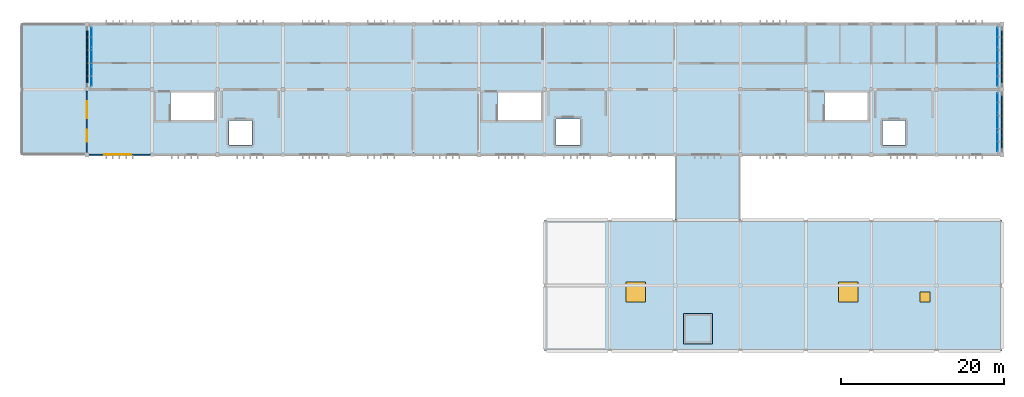
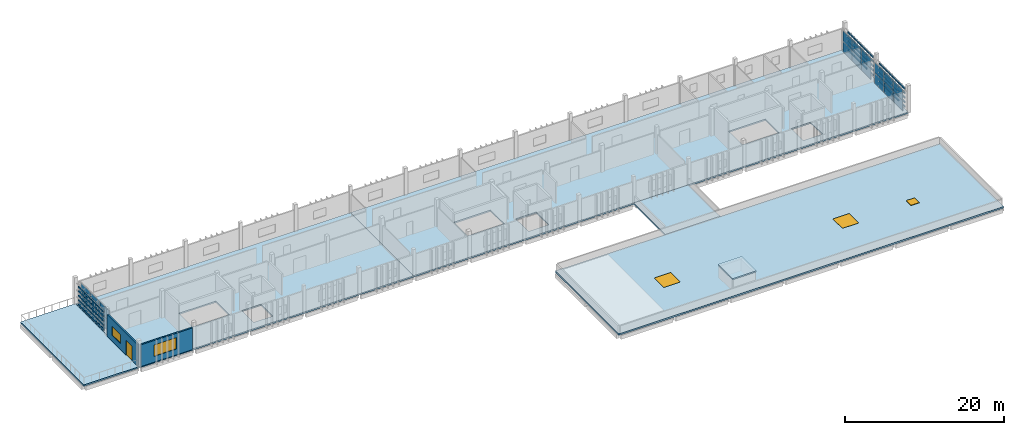
# One storey, part 9 of 16: 78 plates, 6 slabs, 4 windows, 2 doors, 2 walls, 6 openings, 3 elements without a shape of their own.
"""IFC4 building model written with IfcOpenShell, lengths in metres."""

from ifc_helpers import new_model, si_unit, direction, frame, frame_2d, origin, origin_2d, place, context, subcontext, project, spatial, polyline, rectangle, outline, extrude, material, layer, layer_set, type_object, element, fill, aggregate, save


model = new_model("IFC4")

# Units and contexts
model_context = context("Model", 3, precision=1e-05, world=origin(), true_north=direction((0.0, 1.0)))
body_context = subcontext(model_context, "Body", "Model", "MODEL_VIEW")
ifc_project = project(units=[si_unit("LENGTHUNIT", "METRE"), si_unit("AREAUNIT", "SQUARE_METRE"), si_unit("VOLUMEUNIT", "CUBIC_METRE"), si_unit("PLANEANGLEUNIT", "RADIAN"), si_unit("MASSUNIT", "GRAM", prefix="KILO")], contexts=[model_context])

# Site, building, storey
site_placement = place(None, origin())
site = spatial("IfcSite", under=ifc_project, at=site_placement, CompositionType="ELEMENT")
building_placement = place(site_placement, origin())
building = spatial("IfcBuilding", under=site, at=building_placement, Name="Jelvoka-Kovrelna Polytechnic", CompositionType="ELEMENT")
storey_placement = place(building_placement, frame((0.0, 0.0, 30.60009765625)))
storey = spatial("IfcBuildingStorey", under=building, at=storey_placement, Name="L08", CompositionType="ELEMENT", Elevation=30.60009765625)

# Curtain wall, plates
ifc_material_1 = material(Name="Anodised aluminium 6063-T6", Category="aluminium")
ifc_layer_1 = layer(ifc_material_1, 0.179931640625)
ifc_layer_set_1 = layer_set([ifc_layer_1], Name="Anodised aluminium 6063-T6")
curtain_wall_type = type_object("IfcCurtainWallType", Name="CW_Recessed_B", PredefinedType="NOTDEFINED", material=ifc_layer_set_1)
curtain_wall_1_placement = place(storey_placement, origin())
curtain_wall_1 = element("IfcCurtainWall", 1, at=curtain_wall_1_placement, inside=storey, type_object=curtain_wall_type, Name="L08 glazed curtain wall 097", PredefinedType="NOTDEFINED")
ifc_material_2 = material(Name="Solar-control double glazing", Category="glass")
ifc_layer_2 = layer(ifc_material_2, 0.031982421875)
ifc_layer_set_2 = layer_set([ifc_layer_2], Name="Solar-control double glazing")
plate_type_1 = type_object("IfcPlateType", Name="Panel_GP-02", PredefinedType="CURTAIN_PANEL", material=ifc_layer_set_2)
plate_1_placement = place(storey_placement, frame((72.56005859375, 65.6162109375, 0.056884765625), z_axis=(0.0, 0.0, 1.0), x_axis=(0.0, 1.0, 0.0)))
plate_1 = element("IfcPlate", 2, at=plate_1_placement, type_object=plate_type_1, Name="CW-02 panel 1.1", PredefinedType="CURTAIN_PANEL", context=body_context, shape_type="SweptSolid", body=[
    extrude(rectangle(XDim=2.318603515625, YDim=0.031982421875, at=origin_2d()), origin(), (0.0, 0.0, 1.0), 1.593505859375),
])
plate_2_placement = place(storey_placement, frame((72.56005859375, 65.6162109375, 1.699462890625), z_axis=(0.0, 0.0, 1.0), x_axis=(0.0, 1.0, 0.0)))
plate_2 = element("IfcPlate", 3, at=plate_2_placement, type_object=plate_type_1, Name="CW-02 panel 1.2", PredefinedType="CURTAIN_PANEL", context=body_context, shape_type="SweptSolid", body=[
    extrude(rectangle(XDim=2.318603515625, YDim=0.031982421875, at=origin_2d()), origin(), (0.0, 0.0, 1.0), 1.593505859375),
])
plate_3_placement = place(storey_placement, frame((72.56005859375, 68.0, 0.056884765625), z_axis=(0.0, 0.0, 1.0), x_axis=(0.0, 1.0, 0.0)))
plate_3 = element("IfcPlate", 4, at=plate_3_placement, type_object=plate_type_1, Name="CW-02 panel 2.1", PredefinedType="CURTAIN_PANEL", context=body_context, shape_type="SweptSolid", body=[
    extrude(rectangle(XDim=2.35107421875, YDim=0.031982421875, at=origin_2d()), origin(), (0.0, 0.0, 1.0), 1.593505859375),
])
plate_4_placement = place(storey_placement, frame((72.56005859375, 68.0, 1.699462890625), z_axis=(0.0, 0.0, 1.0), x_axis=(0.0, 1.0, 0.0)))
plate_4 = element("IfcPlate", 5, at=plate_4_placement, type_object=plate_type_1, Name="CW-02 panel 2.2", PredefinedType="CURTAIN_PANEL", context=body_context, shape_type="SweptSolid", body=[
    extrude(rectangle(XDim=2.35107421875, YDim=0.031982421875, at=origin_2d()), origin(), (0.0, 0.0, 1.0), 1.593505859375),
])
plate_5_placement = place(storey_placement, frame((72.56005859375, 70.3837890625, 0.056884765625), z_axis=(0.0, 0.0, 1.0), x_axis=(0.0, 1.0, 0.0)))
plate_5 = element("IfcPlate", 6, at=plate_5_placement, type_object=plate_type_1, Name="CW-02 panel 3.1", PredefinedType="CURTAIN_PANEL", context=body_context, shape_type="SweptSolid", body=[
    extrude(rectangle(XDim=2.318603515625, YDim=0.031982421875, at=origin_2d()), origin(), (0.0, 0.0, 1.0), 1.593505859375),
])
plate_6_placement = place(storey_placement, frame((72.56005859375, 70.3837890625, 1.699462890625), z_axis=(0.0, 0.0, 1.0), x_axis=(0.0, 1.0, 0.0)))
plate_6 = element("IfcPlate", 7, at=plate_6_placement, type_object=plate_type_1, Name="CW-02 panel 3.2", PredefinedType="CURTAIN_PANEL", context=body_context, shape_type="SweptSolid", body=[
    extrude(rectangle(XDim=2.318603515625, YDim=0.031982421875, at=origin_2d()), origin(), (0.0, 0.0, 1.0), 1.593505859375),
])
aggregate(curtain_wall_1, [plate_1, plate_2, plate_3, plate_4, plate_5, plate_6])

curtain_wall_2_placement = place(storey_placement, origin())
curtain_wall_2 = element("IfcCurtainWall", 8, at=curtain_wall_2_placement, inside=storey, type_object=curtain_wall_type, Name="L08 glazed curtain wall 098", PredefinedType="NOTDEFINED")
plate_7_placement = place(storey_placement, frame((183.43994140625, 62.3837890625, 0.056884765625), z_axis=(0.0, 0.0, 1.0), x_axis=(0.0, -1.0, 0.0)))
plate_7 = element("IfcPlate", 9, at=plate_7_placement, type_object=plate_type_1, Name="CW-02 panel 1.1", PredefinedType="CURTAIN_PANEL", context=body_context, shape_type="SweptSolid", body=[
    extrude(rectangle(XDim=2.318603515625, YDim=0.031982421875, at=origin_2d()), origin(), (0.0, 0.0, 1.0), 1.593505859375),
])
plate_8_placement = place(storey_placement, frame((183.43994140625, 62.3837890625, 1.699462890625), z_axis=(0.0, 0.0, 1.0), x_axis=(0.0, -1.0, 0.0)))
plate_8 = element("IfcPlate", 10, at=plate_8_placement, type_object=plate_type_1, Name="CW-02 panel 1.2", PredefinedType="CURTAIN_PANEL", context=body_context, shape_type="SweptSolid", body=[
    extrude(rectangle(XDim=2.318603515625, YDim=0.031982421875, at=origin_2d()), origin(), (0.0, 0.0, 1.0), 1.593505859375),
])
plate_9_placement = place(storey_placement, frame((183.43994140625, 60.0, 0.056884765625), z_axis=(0.0, 0.0, 1.0), x_axis=(0.0, -1.0, 0.0)))
plate_9 = element("IfcPlate", 11, at=plate_9_placement, type_object=plate_type_1, Name="CW-02 panel 2.1", PredefinedType="CURTAIN_PANEL", context=body_context, shape_type="SweptSolid", body=[
    extrude(rectangle(XDim=2.35107421875, YDim=0.031982421875, at=origin_2d()), origin(), (0.0, 0.0, 1.0), 1.593505859375),
])
plate_10_placement = place(storey_placement, frame((183.43994140625, 60.0, 1.699462890625), z_axis=(0.0, 0.0, 1.0), x_axis=(0.0, -1.0, 0.0)))
plate_10 = element("IfcPlate", 12, at=plate_10_placement, type_object=plate_type_1, Name="CW-02 panel 2.2", PredefinedType="CURTAIN_PANEL", context=body_context, shape_type="SweptSolid", body=[
    extrude(rectangle(XDim=2.35107421875, YDim=0.031982421875, at=origin_2d()), origin(), (0.0, 0.0, 1.0), 1.593505859375),
])
plate_11_placement = place(storey_placement, frame((183.43994140625, 57.6162109375, 0.056884765625), z_axis=(0.0, 0.0, 1.0), x_axis=(0.0, -1.0, 0.0)))
plate_11 = element("IfcPlate", 13, at=plate_11_placement, type_object=plate_type_1, Name="CW-02 panel 3.1", PredefinedType="CURTAIN_PANEL", context=body_context, shape_type="SweptSolid", body=[
    extrude(rectangle(XDim=2.318603515625, YDim=0.031982421875, at=origin_2d()), origin(), (0.0, 0.0, 1.0), 1.593505859375),
])
plate_12_placement = place(storey_placement, frame((183.43994140625, 57.6162109375, 1.699462890625), z_axis=(0.0, 0.0, 1.0), x_axis=(0.0, -1.0, 0.0)))
plate_12 = element("IfcPlate", 14, at=plate_12_placement, type_object=plate_type_1, Name="CW-02 panel 3.2", PredefinedType="CURTAIN_PANEL", context=body_context, shape_type="SweptSolid", body=[
    extrude(rectangle(XDim=2.318603515625, YDim=0.031982421875, at=origin_2d()), origin(), (0.0, 0.0, 1.0), 1.593505859375),
])
aggregate(curtain_wall_2, [plate_7, plate_8, plate_9, plate_10, plate_11, plate_12])

curtain_wall_3_placement = place(storey_placement, origin())
curtain_wall_3 = element("IfcCurtainWall", 15, at=curtain_wall_3_placement, inside=storey, type_object=curtain_wall_type, Name="L08 glazed curtain wall 099", PredefinedType="NOTDEFINED")
plate_13_placement = place(storey_placement, frame((183.43994140625, 70.3837890625, 0.056884765625), z_axis=(0.0, 0.0, 1.0), x_axis=(0.0, -1.0, 0.0)))
plate_13 = element("IfcPlate", 16, at=plate_13_placement, type_object=plate_type_1, Name="CW-02 panel 1.1", PredefinedType="CURTAIN_PANEL", context=body_context, shape_type="SweptSolid", body=[
    extrude(rectangle(XDim=2.318603515625, YDim=0.031982421875, at=origin_2d()), origin(), (0.0, 0.0, 1.0), 1.593505859375),
])
plate_14_placement = place(storey_placement, frame((183.43994140625, 70.3837890625, 1.699462890625), z_axis=(0.0, 0.0, 1.0), x_axis=(0.0, -1.0, 0.0)))
plate_14 = element("IfcPlate", 17, at=plate_14_placement, type_object=plate_type_1, Name="CW-02 panel 1.2", PredefinedType="CURTAIN_PANEL", context=body_context, shape_type="SweptSolid", body=[
    extrude(rectangle(XDim=2.318603515625, YDim=0.031982421875, at=origin_2d()), origin(), (0.0, 0.0, 1.0), 1.593505859375),
])
plate_15_placement = place(storey_placement, frame((183.43994140625, 68.0, 0.056884765625), z_axis=(0.0, 0.0, 1.0), x_axis=(0.0, -1.0, 0.0)))
plate_15 = element("IfcPlate", 18, at=plate_15_placement, type_object=plate_type_1, Name="CW-02 panel 2.1", PredefinedType="CURTAIN_PANEL", context=body_context, shape_type="SweptSolid", body=[
    extrude(rectangle(XDim=2.35107421875, YDim=0.031982421875, at=origin_2d()), origin(), (0.0, 0.0, 1.0), 1.593505859375),
])
plate_16_placement = place(storey_placement, frame((183.43994140625, 68.0, 1.699462890625), z_axis=(0.0, 0.0, 1.0), x_axis=(0.0, -1.0, 0.0)))
plate_16 = element("IfcPlate", 19, at=plate_16_placement, type_object=plate_type_1, Name="CW-02 panel 2.2", PredefinedType="CURTAIN_PANEL", context=body_context, shape_type="SweptSolid", body=[
    extrude(rectangle(XDim=2.35107421875, YDim=0.031982421875, at=origin_2d()), origin(), (0.0, 0.0, 1.0), 1.593505859375),
])
plate_17_placement = place(storey_placement, frame((183.43994140625, 65.6162109375, 0.056884765625), z_axis=(0.0, 0.0, 1.0), x_axis=(0.0, -1.0, 0.0)))
plate_17 = element("IfcPlate", 20, at=plate_17_placement, type_object=plate_type_1, Name="CW-02 panel 3.1", PredefinedType="CURTAIN_PANEL", context=body_context, shape_type="SweptSolid", body=[
    extrude(rectangle(XDim=2.318603515625, YDim=0.031982421875, at=origin_2d()), origin(), (0.0, 0.0, 1.0), 1.593505859375),
])
plate_18_placement = place(storey_placement, frame((183.43994140625, 65.6162109375, 1.699462890625), z_axis=(0.0, 0.0, 1.0), x_axis=(0.0, -1.0, 0.0)))
plate_18 = element("IfcPlate", 21, at=plate_18_placement, type_object=plate_type_1, Name="CW-02 panel 3.2", PredefinedType="CURTAIN_PANEL", context=body_context, shape_type="SweptSolid", body=[
    extrude(rectangle(XDim=2.318603515625, YDim=0.031982421875, at=origin_2d()), origin(), (0.0, 0.0, 1.0), 1.593505859375),
])
aggregate(curtain_wall_3, [plate_13, plate_14, plate_15, plate_16, plate_17, plate_18])

# Plates
ifc_material_3 = material(Name="Perforated fired terracotta block", Category="masonry")
ifc_layer_3 = layer(ifc_material_3, 0.159912109375)
ifc_layer_set_3 = layer_set([ifc_layer_3], Name="Perforated fired terracotta block")
plate_type_2 = type_object("IfcPlateType", Name="Screen_Terracotta_TP01", PredefinedType="USERDEFINED", material=ifc_layer_set_3)
for number, where, z_axis, x_axis, name in (
    (22, (72.02001953125, 65.60009765625, 0.259765625), (0.0, 0.0, 1.0), (0.0, 1.0, 0.0), "L08 perforated terracotta lattice band 1281"),
    (23, (72.02001953125, 65.60009765625, 0.9375), (0.0, 0.0, 1.0), (0.0, 1.0, 0.0), "L08 perforated terracotta lattice band 1282"),
    (24, (72.02001953125, 65.60009765625, 1.61474609375), (0.0, 0.0, 1.0), (0.0, 1.0, 0.0), "L08 perforated terracotta lattice band 1283"),
    (25, (72.02001953125, 65.60009765625, 2.29248046875), (0.0, 0.0, 1.0), (0.0, 1.0, 0.0), "L08 perforated terracotta lattice band 1284"),
    (26, (72.02001953125, 65.60009765625, 2.9697265625), (0.0, 0.0, 1.0), (0.0, 1.0, 0.0), "L08 perforated terracotta lattice band 1285"),
    (27, (72.02001953125, 67.199951171875, 0.259765625), (0.0, 0.0, 1.0), (0.0, 1.0, 0.0), "L08 perforated terracotta lattice band 1286"),
    (28, (72.02001953125, 67.199951171875, 0.9375), (0.0, 0.0, 1.0), (0.0, 1.0, 0.0), "L08 perforated terracotta lattice band 1287"),
    (29, (72.02001953125, 67.199951171875, 1.61474609375), (0.0, 0.0, 1.0), (0.0, 1.0, 0.0), "L08 perforated terracotta lattice band 1288"),
    (30, (72.02001953125, 67.199951171875, 2.29248046875), (0.0, 0.0, 1.0), (0.0, 1.0, 0.0), "L08 perforated terracotta lattice band 1289"),
    (31, (72.02001953125, 67.199951171875, 2.9697265625), (0.0, 0.0, 1.0), (0.0, 1.0, 0.0), "L08 perforated terracotta lattice band 1290"),
    (32, (72.02001953125, 68.800048828125, 0.259765625), (0.0, 0.0, 1.0), (0.0, 1.0, 0.0), "L08 perforated terracotta lattice band 1291"),
    (33, (72.02001953125, 68.800048828125, 0.9375), (0.0, 0.0, 1.0), (0.0, 1.0, 0.0), "L08 perforated terracotta lattice band 1292"),
    (34, (72.02001953125, 68.800048828125, 1.61474609375), (0.0, 0.0, 1.0), (0.0, 1.0, 0.0), "L08 perforated terracotta lattice band 1293"),
    (35, (72.02001953125, 68.800048828125, 2.29248046875), (0.0, 0.0, 1.0), (0.0, 1.0, 0.0), "L08 perforated terracotta lattice band 1294"),
    (36, (72.02001953125, 68.800048828125, 2.9697265625), (0.0, 0.0, 1.0), (0.0, 1.0, 0.0), "L08 perforated terracotta lattice band 1295"),
    (37, (72.02001953125, 70.39990234375, 0.259765625), (0.0, 0.0, 1.0), (0.0, 1.0, 0.0), "L08 perforated terracotta lattice band 1296"),
    (38, (72.02001953125, 70.39990234375, 0.9375), (0.0, 0.0, 1.0), (0.0, 1.0, 0.0), "L08 perforated terracotta lattice band 1297"),
    (39, (72.02001953125, 70.39990234375, 1.61474609375), (0.0, 0.0, 1.0), (0.0, 1.0, 0.0), "L08 perforated terracotta lattice band 1298"),
    (40, (72.02001953125, 70.39990234375, 2.29248046875), (0.0, 0.0, 1.0), (0.0, 1.0, 0.0), "L08 perforated terracotta lattice band 1299"),
    (41, (72.02001953125, 70.39990234375, 2.9697265625), (0.0, 0.0, 1.0), (0.0, 1.0, 0.0), "L08 perforated terracotta lattice band 1300"),
    (42, (183.97998046875, 57.60009765625, 0.19970703125), (0.0, 0.0, 1.0), (0.0, 1.0, 0.0), "L08 perforated terracotta lattice band 1301"),
    (43, (183.97998046875, 57.60009765625, 0.892578125), (0.0, 0.0, 1.0), (0.0, 1.0, 0.0), "L08 perforated terracotta lattice band 1302"),
    (44, (183.97998046875, 57.60009765625, 1.5849609375), (0.0, 0.0, 1.0), (0.0, 1.0, 0.0), "L08 perforated terracotta lattice band 1303"),
    (45, (183.97998046875, 57.60009765625, 2.27734375), (0.0, 0.0, 1.0), (0.0, 1.0, 0.0), "L08 perforated terracotta lattice band 1304"),
    (46, (183.97998046875, 57.60009765625, 2.9697265625), (0.0, 0.0, 1.0), (0.0, 1.0, 0.0), "L08 perforated terracotta lattice band 1305"),
    (47, (183.97998046875, 59.199951171875, 0.19970703125), (0.0, 0.0, 1.0), (0.0, 1.0, 0.0), "L08 perforated terracotta lattice band 1306"),
    (48, (183.97998046875, 59.199951171875, 0.892578125), (0.0, 0.0, 1.0), (0.0, 1.0, 0.0), "L08 perforated terracotta lattice band 1307"),
    (49, (183.97998046875, 59.199951171875, 1.5849609375), (0.0, 0.0, 1.0), (0.0, 1.0, 0.0), "L08 perforated terracotta lattice band 1308"),
    (50, (183.97998046875, 59.199951171875, 2.27734375), (0.0, 0.0, 1.0), (0.0, 1.0, 0.0), "L08 perforated terracotta lattice band 1309"),
    (51, (183.97998046875, 59.199951171875, 2.9697265625), (0.0, 0.0, 1.0), (0.0, 1.0, 0.0), "L08 perforated terracotta lattice band 1310"),
    (52, (183.97998046875, 60.800048828125, 0.19970703125), (0.0, 0.0, 1.0), (0.0, 1.0, 0.0), "L08 perforated terracotta lattice band 1311"),
    (53, (183.97998046875, 60.800048828125, 0.892578125), (0.0, 0.0, 1.0), (0.0, 1.0, 0.0), "L08 perforated terracotta lattice band 1312"),
    (54, (183.97998046875, 60.800048828125, 1.5849609375), (0.0, 0.0, 1.0), (0.0, 1.0, 0.0), "L08 perforated terracotta lattice band 1313"),
    (55, (183.97998046875, 60.800048828125, 2.27734375), (0.0, 0.0, 1.0), (0.0, 1.0, 0.0), "L08 perforated terracotta lattice band 1314"),
    (56, (183.97998046875, 60.800048828125, 2.9697265625), (0.0, 0.0, 1.0), (0.0, 1.0, 0.0), "L08 perforated terracotta lattice band 1315"),
    (57, (183.97998046875, 62.39990234375, 0.19970703125), (0.0, 0.0, 1.0), (0.0, 1.0, 0.0), "L08 perforated terracotta lattice band 1316"),
    (58, (183.97998046875, 62.39990234375, 0.892578125), (0.0, 0.0, 1.0), (0.0, 1.0, 0.0), "L08 perforated terracotta lattice band 1317"),
    (59, (183.97998046875, 62.39990234375, 1.5849609375), (0.0, 0.0, 1.0), (0.0, 1.0, 0.0), "L08 perforated terracotta lattice band 1318"),
    (60, (183.97998046875, 62.39990234375, 2.27734375), (0.0, 0.0, 1.0), (0.0, 1.0, 0.0), "L08 perforated terracotta lattice band 1319"),
    (61, (183.97998046875, 62.39990234375, 2.9697265625), (0.0, 0.0, 1.0), (0.0, 1.0, 0.0), "L08 perforated terracotta lattice band 1320"),
    (62, (183.97998046875, 65.60009765625, 0.19970703125), (0.0, 0.0, 1.0), (0.0, 1.0, 0.0), "L08 perforated terracotta lattice band 1321"),
    (63, (183.97998046875, 65.60009765625, 0.892578125), (0.0, 0.0, 1.0), (0.0, 1.0, 0.0), "L08 perforated terracotta lattice band 1322"),
    (64, (183.97998046875, 65.60009765625, 1.5849609375), (0.0, 0.0, 1.0), (0.0, 1.0, 0.0), "L08 perforated terracotta lattice band 1323"),
    (65, (183.97998046875, 65.60009765625, 2.27734375), (0.0, 0.0, 1.0), (0.0, 1.0, 0.0), "L08 perforated terracotta lattice band 1324"),
    (66, (183.97998046875, 65.60009765625, 2.9697265625), (0.0, 0.0, 1.0), (0.0, 1.0, 0.0), "L08 perforated terracotta lattice band 1325"),
    (67, (183.97998046875, 67.199951171875, 0.19970703125), (0.0, 0.0, 1.0), (0.0, 1.0, 0.0), "L08 perforated terracotta lattice band 1326"),
    (68, (183.97998046875, 67.199951171875, 0.892578125), (0.0, 0.0, 1.0), (0.0, 1.0, 0.0), "L08 perforated terracotta lattice band 1327"),
    (69, (183.97998046875, 67.199951171875, 1.5849609375), (0.0, 0.0, 1.0), (0.0, 1.0, 0.0), "L08 perforated terracotta lattice band 1328"),
    (70, (183.97998046875, 67.199951171875, 2.27734375), (0.0, 0.0, 1.0), (0.0, 1.0, 0.0), "L08 perforated terracotta lattice band 1329"),
    (71, (183.97998046875, 67.199951171875, 2.9697265625), (0.0, 0.0, 1.0), (0.0, 1.0, 0.0), "L08 perforated terracotta lattice band 1330"),
    (72, (183.97998046875, 68.800048828125, 0.19970703125), (0.0, 0.0, 1.0), (0.0, 1.0, 0.0), "L08 perforated terracotta lattice band 1331"),
    (73, (183.97998046875, 68.800048828125, 0.892578125), (0.0, 0.0, 1.0), (0.0, 1.0, 0.0), "L08 perforated terracotta lattice band 1332"),
    (74, (183.97998046875, 68.800048828125, 1.5849609375), (0.0, 0.0, 1.0), (0.0, 1.0, 0.0), "L08 perforated terracotta lattice band 1333"),
    (75, (183.97998046875, 68.800048828125, 2.27734375), (0.0, 0.0, 1.0), (0.0, 1.0, 0.0), "L08 perforated terracotta lattice band 1334"),
    (76, (183.97998046875, 68.800048828125, 2.9697265625), (0.0, 0.0, 1.0), (0.0, 1.0, 0.0), "L08 perforated terracotta lattice band 1335"),
    (77, (183.97998046875, 70.39990234375, 0.19970703125), (0.0, 0.0, 1.0), (0.0, 1.0, 0.0), "L08 perforated terracotta lattice band 1336"),
    (78, (183.97998046875, 70.39990234375, 0.892578125), (0.0, 0.0, 1.0), (0.0, 1.0, 0.0), "L08 perforated terracotta lattice band 1337"),
    (79, (183.97998046875, 70.39990234375, 1.5849609375), (0.0, 0.0, 1.0), (0.0, 1.0, 0.0), "L08 perforated terracotta lattice band 1338"),
    (80, (183.97998046875, 70.39990234375, 2.27734375), (0.0, 0.0, 1.0), (0.0, 1.0, 0.0), "L08 perforated terracotta lattice band 1339"),
    (81, (183.97998046875, 70.39990234375, 2.9697265625), (0.0, 0.0, 1.0), (0.0, 1.0, 0.0), "L08 perforated terracotta lattice band 1340"),
):
    element("IfcPlate", number, at=place(storey_placement, frame(where, z_axis=z_axis, x_axis=x_axis)), inside=storey, type_object=plate_type_2, Name=name, ObjectType="SCREEN PANEL", PredefinedType="USERDEFINED", context=body_context, shape_type="SweptSolid", body=[
        extrude(rectangle(XDim=1.60009765625, YDim=0.159912109375, at=origin_2d()), origin(), (0.0, 0.0, 1.0), 0.239990234375),
    ])

# Slabs
ifc_material_4 = material(Name="Concrete C35/45", Category="concrete")
ifc_layer_4 = layer(ifc_material_4, 0.22509765625)
ifc_layer_set_4 = layer_set([ifc_layer_4], Name="Concrete C35/45")
slab_type_1 = type_object("IfcSlabType", Name="Slab_Floor_225", PredefinedType="FLOOR", material=ifc_layer_set_4)
slab_1_placement = place(storey_placement, frame((0.0, 0.0, -0.22509765625)))
element("IfcSlab", 82, at=slab_1_placement, inside=storey, type_object=slab_type_1, Name="L08 B3W structural slab", PredefinedType="FLOOR", context=body_context, shape_type="SweptSolid", body=[
    extrude(outline(polyline([(72.0, 56.0), (112.0, 56.0), (112.0, 72.0), (72.0, 72.0), (72.0, 56.0)]), holes=[polyline([(89.39990234375, 57.199951171875), (92.199951171875, 57.199951171875), (92.199951171875, 60.199951171875), (89.39990234375, 60.199951171875), (89.39990234375, 57.199951171875)]), polyline([(82.264892578125, 60.199951171875), (87.60009765625, 60.199951171875), (87.60009765625, 63.639892578125), (82.264892578125, 63.639892578125), (82.264892578125, 60.199951171875)])]), origin(), (0.0, 0.0, 1.0), 0.22509765625),
])
slab_2_placement = place(storey_placement, frame((0.0, 0.0, -0.22509765625)))
element("IfcSlab", 83, at=slab_2_placement, inside=storey, type_object=slab_type_1, Name="L08 B3E structural slab", PredefinedType="FLOOR", context=body_context, shape_type="SweptSolid", body=[
    extrude(outline(polyline([(112.0, 56.0), (184.0, 56.0), (184.0, 72.0), (112.0, 72.0), (112.0, 56.0)]), holes=[polyline([(169.39990234375, 57.199951171875), (172.199951171875, 57.199951171875), (172.199951171875, 60.199951171875), (169.39990234375, 60.199951171875), (169.39990234375, 57.199951171875)]), polyline([(129.39990234375, 57.199951171875), (132.39990234375, 57.199951171875), (132.39990234375, 60.39990234375), (129.39990234375, 60.39990234375), (129.39990234375, 57.199951171875)]), polyline([(162.264892578125, 60.199951171875), (167.60009765625, 60.199951171875), (167.60009765625, 63.639892578125), (162.264892578125, 63.639892578125), (162.264892578125, 60.199951171875)]), polyline([(122.264892578125, 60.199951171875), (127.60009765625, 60.199951171875), (127.60009765625, 63.639892578125), (122.264892578125, 63.639892578125), (122.264892578125, 60.199951171875)])]), origin(), (0.0, 0.0, 1.0), 0.22509765625),
])
ifc_material_5 = material(Name="Concrete C35/45", Category="concrete")
ifc_layer_5 = layer(ifc_material_5, 0.2099609375)
ifc_layer_set_5 = layer_set([ifc_layer_5], Name="Concrete C35/45")
slab_type_2 = type_object("IfcSlabType", Name="Slab_Roof_Flat_210", PredefinedType="ROOF", material=ifc_layer_set_5)
slab_3_placement = place(storey_placement, frame((0.0, 0.0, -0.210205078125)))
element("IfcSlab", 84, at=slab_3_placement, inside=storey, type_object=slab_type_2, Name="L08 north-east courtyard link LNKNE roof", PredefinedType="ROOF", context=body_context, shape_type="SweptSolid", body=[
    extrude(outline(polyline([(144.0, 48.0), (152.0, 48.0), (152.0, 56.0), (144.0, 56.0), (144.0, 48.0)])), origin(), (0.0, 0.0, 1.0), 0.210205078125),
])
slab_4_placement = place(storey_placement, frame((0.0, 0.0, 1.7998046875)))
element("IfcSlab", 85, at=slab_4_placement, inside=storey, type_object=slab_type_2, Name="L08 lift overrun flat roof cap LF-P2", PredefinedType="ROOF", context=body_context, shape_type="SweptSolid", body=[
    extrude(outline(polyline([(145.050048828125, 32.85009765625), (148.550048828125, 32.85009765625), (148.550048828125, 36.550048828125), (145.050048828125, 36.550048828125), (145.050048828125, 32.85009765625)])), origin(), (0.0, 0.0, 1.0), 0.210205078125),
])

# Slab, openings, door, windows
ifc_material_6 = material(Name="Concrete C35/45", Category="concrete")
ifc_layer_6 = layer(ifc_material_6, 0.239990234375)
ifc_layer_set_6 = layer_set([ifc_layer_6], Name="Concrete C35/45")
slab_type_3 = type_object("IfcSlabType", Name="Slab_Roof_Flat_240", PredefinedType="ROOF", material=ifc_layer_set_6)
slab_5_placement = place(storey_placement, frame((0.0, 0.0, -0.239990234375)))
slab_5 = element("IfcSlab", 86, at=slab_5_placement, inside=storey, type_object=slab_type_3, Name="L08 central-east bar B2E flat roof", PredefinedType="ROOF", context=body_context, shape_type="SweptSolid", body=[
    extrude(outline(polyline([(128.0, 32.0), (184.0, 32.0), (184.0, 48.0), (128.0, 48.0), (128.0, 32.0)]), holes=[polyline([(138.0, 38.0), (140.39990234375, 38.0), (140.39990234375, 40.39990234375), (138.0, 40.39990234375), (138.0, 38.0)]), polyline([(164.0, 38.0), (166.39990234375, 38.0), (166.39990234375, 40.39990234375), (164.0, 40.39990234375), (164.0, 38.0)]), polyline([(174.0, 38.0), (175.199951171875, 38.0), (175.199951171875, 39.199951171875), (174.0, 39.199951171875), (174.0, 38.0)])]), origin(), (0.0, 0.0, 1.0), 0.239990234375),
])
opening_1_placement = place(slab_5_placement, frame((139.199951171875, 39.199951171875, 0.0)))
opening_1 = element("IfcOpeningElement", 87, at=opening_1_placement, cuts=slab_5, Name="Opening SK-L08-B2E-1", PredefinedType="OPENING", context=body_context, shape_type="SweptSolid", body=[
    extrude(rectangle(XDim=2.39990234375, YDim=2.39990234375, at=origin_2d()), frame((0.0, 0.0, -0.010009765625)), (0.0, 0.0, 1.0), 0.260009765625),
])
opening_2_placement = place(slab_5_placement, frame((165.199951171875, 39.199951171875, 0.0)))
opening_2 = element("IfcOpeningElement", 88, at=opening_2_placement, cuts=slab_5, Name="Opening SK-L08-B2E-2", PredefinedType="OPENING", context=body_context, shape_type="SweptSolid", body=[
    extrude(rectangle(XDim=2.39990234375, YDim=2.39990234375, at=origin_2d()), frame((0.0, 0.0, -0.010009765625)), (0.0, 0.0, 1.0), 0.260009765625),
])
opening_3_placement = place(slab_5_placement, frame((174.60009765625, 38.60009765625, 0.0)))
opening_3 = element("IfcOpeningElement", 89, at=opening_3_placement, cuts=slab_5, Name="Opening HT-L08-01", PredefinedType="OPENING", context=body_context, shape_type="SweptSolid", body=[
    extrude(rectangle(XDim=1.199951171875, YDim=1.199951171875, at=origin_2d()), frame((0.0, 0.0, -0.010009765625)), (0.0, 0.0, 1.0), 0.31005859375),
])
ifc_material_7 = material(Name="Powder-coated aluminium and laminated safety glass", Category="aluminium")
door_type_1 = type_object("IfcDoorType", Name="Hatch_Roof_1200x1200", OperationType="NOTDEFINED", PredefinedType="TRAPDOOR", material=ifc_material_7)
door_1_placement = place(opening_3_placement, frame((0.0, 0.0, 0.239990234375)))
door_1 = element("IfcDoor", 90, at=door_1_placement, inside=storey, type_object=door_type_1, Name="L08 roof access trapdoor HT-L08-01", OperationType="SINGLE_SWING_LEFT", OverallHeight=1.199951171875, OverallWidth=1.199951171875, PredefinedType="TRAPDOOR", context=body_context, shape_type="SweptSolid", body=[
    extrude(rectangle(XDim=1.199951171875, YDim=1.199951171875, at=origin_2d()), origin(), (0.0, 0.0, 1.0), 0.050048828125),
])
fill(opening_3, door_1)
ifc_material_8 = material(Name="Laminated solar-control skylight glazing", Category="glass")
window_type_1 = type_object("IfcWindowType", Name="Skylight_SK01", PartitioningType="SINGLE_PANEL", PredefinedType="SKYLIGHT", material=ifc_material_8)
window_1_placement = place(opening_1_placement, frame((0.0, 0.0, 0.18994140625)))
window_1 = element("IfcWindow", 91, at=window_1_placement, inside=storey, type_object=window_type_1, Name="L08 roof skylight SK-L08-B2E-1", OverallHeight=2.39990234375, OverallWidth=2.39990234375, PartitioningType="SINGLE_PANEL", PredefinedType="SKYLIGHT", context=body_context, shape_type="SweptSolid", body=[
    extrude(rectangle(XDim=2.39990234375, YDim=2.39990234375, at=origin_2d()), origin(), (0.0, 0.0, 1.0), 0.050048828125),
])
fill(opening_1, window_1)
window_2_placement = place(opening_2_placement, frame((0.0, 0.0, 0.18994140625)))
window_2 = element("IfcWindow", 92, at=window_2_placement, inside=storey, type_object=window_type_1, Name="L08 roof skylight SK-L08-B2E-2", OverallHeight=2.39990234375, OverallWidth=2.39990234375, PartitioningType="SINGLE_PANEL", PredefinedType="SKYLIGHT", context=body_context, shape_type="SweptSolid", body=[
    extrude(rectangle(XDim=2.39990234375, YDim=2.39990234375, at=origin_2d()), origin(), (0.0, 0.0, 1.0), 0.050048828125),
])
fill(opening_2, window_2)

# Slab
ifc_material_9 = material(Name="Concrete C35/45", Category="concrete")
ifc_layer_7 = layer(ifc_material_9, 0.219970703125)
ifc_layer_set_7 = layer_set([ifc_layer_7], Name="Concrete C35/45")
slab_type_4 = type_object("IfcSlabType", Name="Slab_Terrace_220", PredefinedType="FLOOR", material=ifc_layer_set_7)
slab_6_placement = place(storey_placement, frame((0.0, 0.0, -0.22021484375)))
element("IfcSlab", 93, at=slab_6_placement, inside=storey, type_object=slab_type_4, Name="L08 outdoor setback terrace TER-L08-B3W", PredefinedType="FLOOR", context=body_context, shape_type="SweptSolid", body=[
    extrude(outline(polyline([(64.0, 56.0), (72.0, 56.0), (72.0, 72.0), (64.0, 72.0), (64.0, 56.0)])), origin(), (0.0, 0.0, 1.0), 0.22021484375),
])

# Wall, opening, window
ifc_material_10 = material(Name="Precast concrete C40/50", Category="concrete")
ifc_layer_8 = layer(ifc_material_10, 0.219970703125)
ifc_layer_set_8 = layer_set([ifc_layer_8], Name="Precast concrete C40/50")
wall_type = type_object("IfcWallType", Name="Wall_Ext_White_220", PredefinedType="STANDARD", material=ifc_layer_set_8)
wall_1_placement = place(storey_placement, frame((79.778076171875, 56.0, 0.0), z_axis=(0.0, 0.0, 1.0), x_axis=(-1.0, 0.0, 0.0)))
wall_1 = element("IfcWall", 94, at=wall_1_placement, inside=storey, type_object=wall_type, Name="L08 exterior wall 0818", PredefinedType="STANDARD", context=body_context, shape_type="SweptSolid", body=[
    extrude(rectangle(XDim=7.531005859375, YDim=0.219970703125, at=frame_2d((3.765625, 0.0))), origin(), (0.0, 0.0, 1.0), 3.3349609375),
])
opening_4_placement = place(wall_1_placement, frame((2.35791015625, 0.0, 0.89990234375)))
opening_4 = element("IfcOpeningElement", 95, at=opening_4_placement, cuts=wall_1, Name="Opening W-L08-464", PredefinedType="OPENING", context=body_context, shape_type="SweptSolid", body=[
    extrude(rectangle(XDim=3.300048828125, YDim=1.75, at=frame_2d((1.64990234375, 0.875))), frame((0.0, 0.119873046875, 0.0), z_axis=(0.0, -1.0, 0.0), x_axis=(1.0, 0.0, 0.0)), (0.0, 0.0, 1.0), 0.239990234375),
])
ifc_material_11 = material(Name="Thermally broken anodised aluminium and low-e glazing", Category="aluminium")
window_type_2 = type_object("IfcWindowType", Name="Win_Casement_W62", PartitioningType="DOUBLE_PANEL_VERTICAL", PredefinedType="WINDOW", material=ifc_material_11)
window_3_placement = place(opening_4_placement, origin())
window_3 = element("IfcWindow", 96, at=window_3_placement, inside=storey, type_object=window_type_2, Name="L08 aluminium casement window W-L08-464", OverallHeight=1.75, OverallWidth=3.300048828125, PartitioningType="DOUBLE_PANEL_VERTICAL", PredefinedType="WINDOW", context=body_context, shape_type="SweptSolid", body=[
    extrude(rectangle(XDim=3.300048828125, YDim=1.75, at=frame_2d((1.64990234375, 0.875))), frame((0.0, 0.030029296875, 0.0), z_axis=(0.0, -1.0, 0.0), x_axis=(1.0, 0.0, 0.0)), (0.0, 0.0, 1.0), 0.06005859375),
])
fill(opening_4, window_3)

# Wall, openings, door, window
wall_2_placement = place(storey_placement, frame((72.0, 56.2470703125, 0.0), z_axis=(0.0, 0.0, 1.0), x_axis=(0.0, 1.0, 0.0)))
wall_2 = element("IfcWall", 97, at=wall_2_placement, inside=storey, type_object=wall_type, Name="L08 exterior wall 0846", PredefinedType="STANDARD", context=body_context, shape_type="SweptSolid", body=[
    extrude(rectangle(XDim=7.531005859375, YDim=0.219970703125, at=frame_2d((3.765625, 0.0))), origin(), (0.0, 0.0, 1.0), 3.3349609375),
])
opening_5_placement = place(wall_2_placement, frame((1.3330078125, 0.0, 0.0)))
opening_5 = element("IfcOpeningElement", 98, at=opening_5_placement, cuts=wall_2, Name="Opening TD-L08-018", PredefinedType="OPENING", context=body_context, shape_type="SweptSolid", body=[
    extrude(rectangle(XDim=1.449951171875, YDim=2.25, at=frame_2d((0.72509765625, 1.125))), frame((0.0, 0.119873046875, 0.0), z_axis=(0.0, -1.0, 0.0), x_axis=(1.0, 0.0, 0.0)), (0.0, 0.0, 1.0), 0.239990234375),
])
opening_6_placement = place(wall_2_placement, frame((4.23291015625, 0.0, 0.89990234375)))
opening_6 = element("IfcOpeningElement", 99, at=opening_6_placement, cuts=wall_2, Name="Opening W-L08-494", PredefinedType="OPENING", context=body_context, shape_type="SweptSolid", body=[
    extrude(rectangle(XDim=2.050048828125, YDim=1.39990234375, at=frame_2d((1.02490234375, 0.699951171875))), frame((0.0, 0.119873046875, 0.0), z_axis=(0.0, -1.0, 0.0), x_axis=(1.0, 0.0, 0.0)), (0.0, 0.0, 1.0), 0.239990234375),
])
ifc_material_12 = material(Name="Powder-coated aluminium and laminated safety glass", Category="aluminium")
door_type_2 = type_object("IfcDoorType", Name="Door_Ext_Terrace_1450x2250", OperationType="NOTDEFINED", PredefinedType="DOOR", material=ifc_material_12)
door_2_placement = place(opening_5_placement, origin())
door_2 = element("IfcDoor", 100, at=door_2_placement, inside=storey, type_object=door_type_2, Name="L08 exterior door TD-L08-018", OperationType="SINGLE_SWING_LEFT", OverallHeight=2.25, OverallWidth=1.449951171875, PredefinedType="DOOR", context=body_context, shape_type="SweptSolid", body=[
    extrude(rectangle(XDim=1.449951171875, YDim=2.25, at=frame_2d((0.72509765625, 1.125))), frame((0.0, 0.02490234375, 0.0), z_axis=(0.0, -1.0, 0.0), x_axis=(1.0, 0.0, 0.0)), (0.0, 0.0, 1.0), 0.050048828125),
])
fill(opening_5, door_2)
ifc_material_13 = material(Name="Thermally broken anodised aluminium and low-e glazing", Category="aluminium")
window_type_3 = type_object("IfcWindowType", Name="Win_Casement_W16", PartitioningType="DOUBLE_PANEL_VERTICAL", PredefinedType="WINDOW", material=ifc_material_13)
window_4_placement = place(opening_6_placement, origin())
window_4 = element("IfcWindow", 101, at=window_4_placement, inside=storey, type_object=window_type_3, Name="L08 aluminium casement window W-L08-494", OverallHeight=1.39990234375, OverallWidth=2.050048828125, PartitioningType="DOUBLE_PANEL_VERTICAL", PredefinedType="WINDOW", context=body_context, shape_type="SweptSolid", body=[
    extrude(rectangle(XDim=2.050048828125, YDim=1.39990234375, at=frame_2d((1.02490234375, 0.699951171875))), frame((0.0, 0.030029296875, 0.0), z_axis=(0.0, -1.0, 0.0), x_axis=(1.0, 0.0, 0.0)), (0.0, 0.0, 1.0), 0.06005859375),
])
fill(opening_6, window_4)

save(model, "model.ifc")
